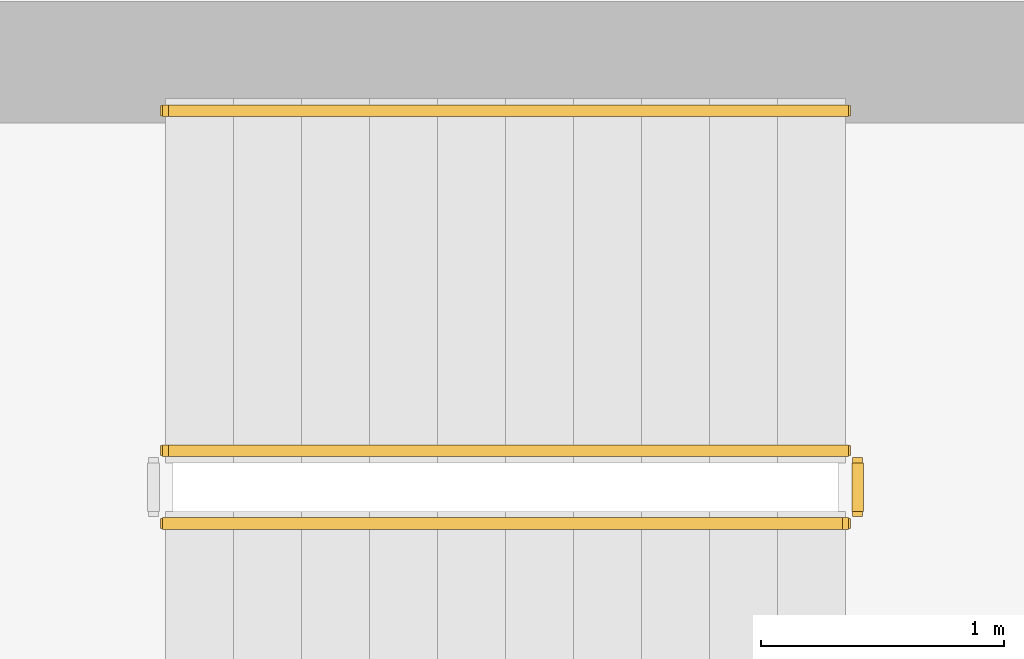
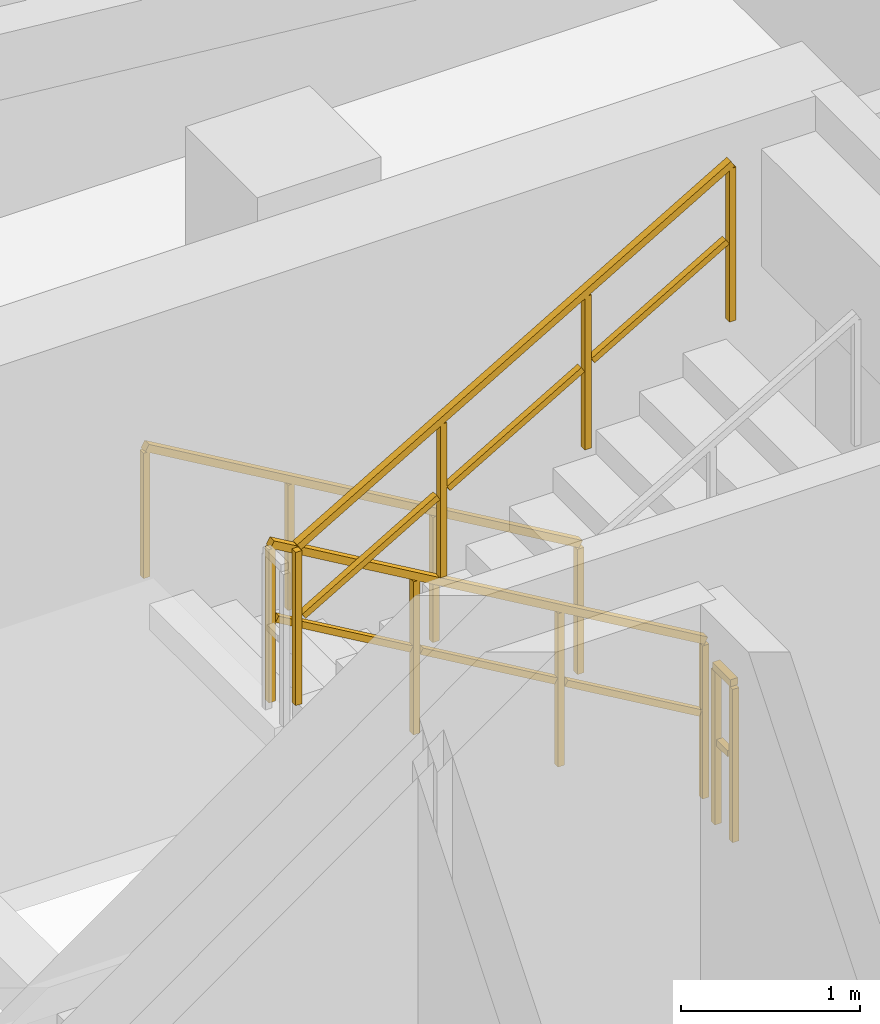
# One storey, part 33 of 35: 4 railings.
"""IFC4 building model written with IfcOpenShell, lengths in metres."""

from ifc_helpers import new_model, si_unit, direction, frame, origin, origin_2d, place, context, subcontext, project, spatial, rectangle, extrude, material, type_object, element, save


model = new_model("IFC4")

# Units and contexts
model_context = context("Model", 3, precision=1e-05, world=origin(), true_north=direction((0.0, 1.0)))
body_context = subcontext(model_context, "Body", "Model", "MODEL_VIEW")
ifc_project = project(units=[si_unit("LENGTHUNIT", "METRE"), si_unit("AREAUNIT", "SQUARE_METRE"), si_unit("VOLUMEUNIT", "CUBIC_METRE"), si_unit("PLANEANGLEUNIT", "RADIAN"), si_unit("MASSUNIT", "GRAM", prefix="KILO")], contexts=[model_context])

# Site, building, storey
site_placement = place(None, origin())
site = spatial("IfcSite", under=ifc_project, at=site_placement, CompositionType="ELEMENT")
building_placement = place(site_placement, origin())
building = spatial("IfcBuilding", under=site, at=building_placement, Name="Thornwick Lancets Civic Towers", CompositionType="ELEMENT")
storey_placement = place(building_placement, frame((0.0, 0.0, 265.5)))
storey = spatial("IfcBuildingStorey", under=building, at=storey_placement, Name="L71", CompositionType="ELEMENT", Elevation=265.5)

# Railings
ifc_material_1 = material(Name="Brushed stainless steel S355", Category="steel")
railing_type_1 = type_object("IfcRailingType", Name="RAIL_HANDRAIL", PredefinedType="HANDRAIL", material=ifc_material_1)
railing_1_placement = place(storey_placement, frame((31.60009765625, 38.949951171875, 0.16357421875)))
element("IfcRailing", 1, at=railing_1_placement, inside=storey, type_object=railing_type_1, Name="L71 ST-A2 stair handrail 1", PredefinedType="HANDRAIL", context=body_context, shape_type="SweptSolid", body=[
    extrude(rectangle(XDim=0.048095703125, YDim=0.048095703125, at=origin_2d()), frame((0.0, 0.0, 0.8857421875), z_axis=(-0.863360870873, 0.0, 0.504586966384), x_axis=(0.0, -1.0, 0.0)), (0.0, 0.0, 1.0), 3.2431640625),
    extrude(rectangle(XDim=0.0419921875, YDim=0.0419921875, at=origin_2d()), origin(), (0.0, 0.0, 1.0), 0.855712890625),
    extrude(rectangle(XDim=0.0419921875, YDim=0.0419921875, at=origin_2d()), frame((-0.933349609375, 0.0, 0.54541015625)), (0.0, 0.0, 1.0), 0.855712890625),
    extrude(rectangle(XDim=0.0419921875, YDim=0.0419921875, at=origin_2d()), frame((-1.86669921875, 0.0, 1.091064453125)), (0.0, 0.0, 1.0), 0.855712890625),
    extrude(rectangle(XDim=0.0419921875, YDim=0.0419921875, at=origin_2d()), frame((-2.800048828125, 0.0, 1.636474609375)), (0.0, 0.0, 1.0), 0.855712890625),
])
ifc_material_2 = material(Name="Steel S355JR", Category="steel")
railing_type_2 = type_object("IfcRailingType", Name="RAIL_STAIR_GUARD", PredefinedType="GUARDRAIL", material=ifc_material_2)
railing_2_placement = place(storey_placement, frame((31.60009765625, 37.550048828125, 0.16357421875)))
element("IfcRailing", 2, at=railing_2_placement, inside=storey, type_object=railing_type_2, Name="L71 ST-A2 stair guard 1", PredefinedType="GUARDRAIL", context=body_context, shape_type="SweptSolid", body=[
    extrude(rectangle(XDim=0.048095703125, YDim=0.048095703125, at=origin_2d()), frame((0.0, 0.0, 1.076171875), z_axis=(-0.863360870873, 0.0, 0.504586966384), x_axis=(0.0, -1.0, 0.0)), (0.0, 0.0, 1.0), 3.2431640625),
    extrude(rectangle(XDim=0.0419921875, YDim=0.0419921875, at=origin_2d()), frame((-0.032470703125, 0.0, 0.591064453125), z_axis=(-0.863360870873, 0.0, 0.504586966384), x_axis=(0.0, -1.0, 0.0)), (0.0, 0.0, 1.0), 1.006103515625),
    extrude(rectangle(XDim=0.0419921875, YDim=0.0419921875, at=origin_2d()), frame((-0.9658203125, 0.0, 1.136474609375), z_axis=(-0.863360870873, 0.0, 0.504586966384), x_axis=(0.0, -1.0, 0.0)), (0.0, 0.0, 1.0), 1.006103515625),
    extrude(rectangle(XDim=0.0419921875, YDim=0.0419921875, at=origin_2d()), frame((-1.899169921875, 0.0, 1.681884765625), z_axis=(-0.863360870873, 0.0, 0.504586966384), x_axis=(0.0, -1.0, 0.0)), (0.0, 0.0, 1.0), 1.006103515625),
    extrude(rectangle(XDim=0.0419921875, YDim=0.0419921875, at=origin_2d()), origin(), (0.0, 0.0, 1.0), 1.0458984375),
    extrude(rectangle(XDim=0.0419921875, YDim=0.0419921875, at=origin_2d()), frame((-0.933349609375, 0.0, 0.54541015625)), (0.0, 0.0, 1.0), 1.0458984375),
    extrude(rectangle(XDim=0.0419921875, YDim=0.0419921875, at=origin_2d()), frame((-1.86669921875, 0.0, 1.091064453125)), (0.0, 0.0, 1.0), 1.0458984375),
    extrude(rectangle(XDim=0.0419921875, YDim=0.0419921875, at=origin_2d()), frame((-2.800048828125, 0.0, 1.636474609375)), (0.0, 0.0, 1.0), 1.0458984375),
])
railing_3_placement = place(storey_placement, frame((28.800048828125, 37.25, 1.963623046875)))
element("IfcRailing", 3, at=railing_3_placement, inside=storey, type_object=railing_type_2, Name="L71 ST-A2 stair guard 3", PredefinedType="GUARDRAIL", context=body_context, shape_type="SweptSolid", body=[
    extrude(rectangle(XDim=0.048095703125, YDim=0.048095703125, at=origin_2d()), frame((0.0, 0.0, 1.076171875), z_axis=(0.863360870873, 0.0, 0.504586966384), x_axis=(0.0, 1.0, 0.0)), (0.0, 0.0, 1.0), 3.2431640625),
    extrude(rectangle(XDim=0.0419921875, YDim=0.0419921875, at=origin_2d()), frame((0.032470703125, 0.0, 0.591064453125), z_axis=(0.863360870873, 0.0, 0.504586966384), x_axis=(0.0, 1.0, 0.0)), (0.0, 0.0, 1.0), 1.006103515625),
    extrude(rectangle(XDim=0.0419921875, YDim=0.0419921875, at=origin_2d()), frame((0.9658203125, 0.0, 1.136474609375), z_axis=(0.863360870873, 0.0, 0.504586966384), x_axis=(0.0, 1.0, 0.0)), (0.0, 0.0, 1.0), 1.006103515625),
    extrude(rectangle(XDim=0.0419921875, YDim=0.0419921875, at=origin_2d()), frame((1.899169921875, 0.0, 1.681884765625), z_axis=(0.863360870873, 0.0, 0.504586966384), x_axis=(0.0, 1.0, 0.0)), (0.0, 0.0, 1.0), 1.006103515625),
    extrude(rectangle(XDim=0.0419921875, YDim=0.0419921875, at=origin_2d()), origin(), (0.0, 0.0, 1.0), 1.0458984375),
    extrude(rectangle(XDim=0.0419921875, YDim=0.0419921875, at=origin_2d()), frame((0.933349609375, 0.0, 0.54541015625)), (0.0, 0.0, 1.0), 1.0458984375),
    extrude(rectangle(XDim=0.0419921875, YDim=0.0419921875, at=origin_2d()), frame((1.86669921875, 0.0, 1.091064453125)), (0.0, 0.0, 1.0), 1.0458984375),
    extrude(rectangle(XDim=0.0419921875, YDim=0.0419921875, at=origin_2d()), frame((2.800048828125, 0.0, 1.636474609375)), (0.0, 0.0, 1.0), 1.0458984375),
])
railing_4_placement = place(storey_placement, frame((31.64990234375, 37.5, 0.0)))
element("IfcRailing", 4, at=railing_4_placement, inside=storey, type_object=railing_type_2, Name="L71 ST-A2 stair guard 4", PredefinedType="GUARDRAIL", context=body_context, shape_type="SweptSolid", body=[
    extrude(rectangle(XDim=0.048095703125, YDim=0.048095703125, at=origin_2d()), frame((0.0, 0.0, 1.076171875), z_axis=(0.0, -1.0, 0.0), x_axis=(1.0, 0.0, 0.0)), (0.0, 0.0, 1.0), 0.199951171875),
    extrude(rectangle(XDim=0.0419921875, YDim=0.0419921875, at=origin_2d()), frame((0.0, -0.03759765625, 0.572021484375), z_axis=(0.0, -1.0, 0.0), x_axis=(1.0, 0.0, 0.0)), (0.0, 0.0, 1.0), 0.125),
    extrude(rectangle(XDim=0.0419921875, YDim=0.0419921875, at=origin_2d()), origin(), (0.0, 0.0, 1.0), 1.0458984375),
    extrude(rectangle(XDim=0.0419921875, YDim=0.0419921875, at=origin_2d()), frame((0.0, -0.199951171875, 0.0)), (0.0, 0.0, 1.0), 1.0458984375),
])

save(model, "model.ifc")
